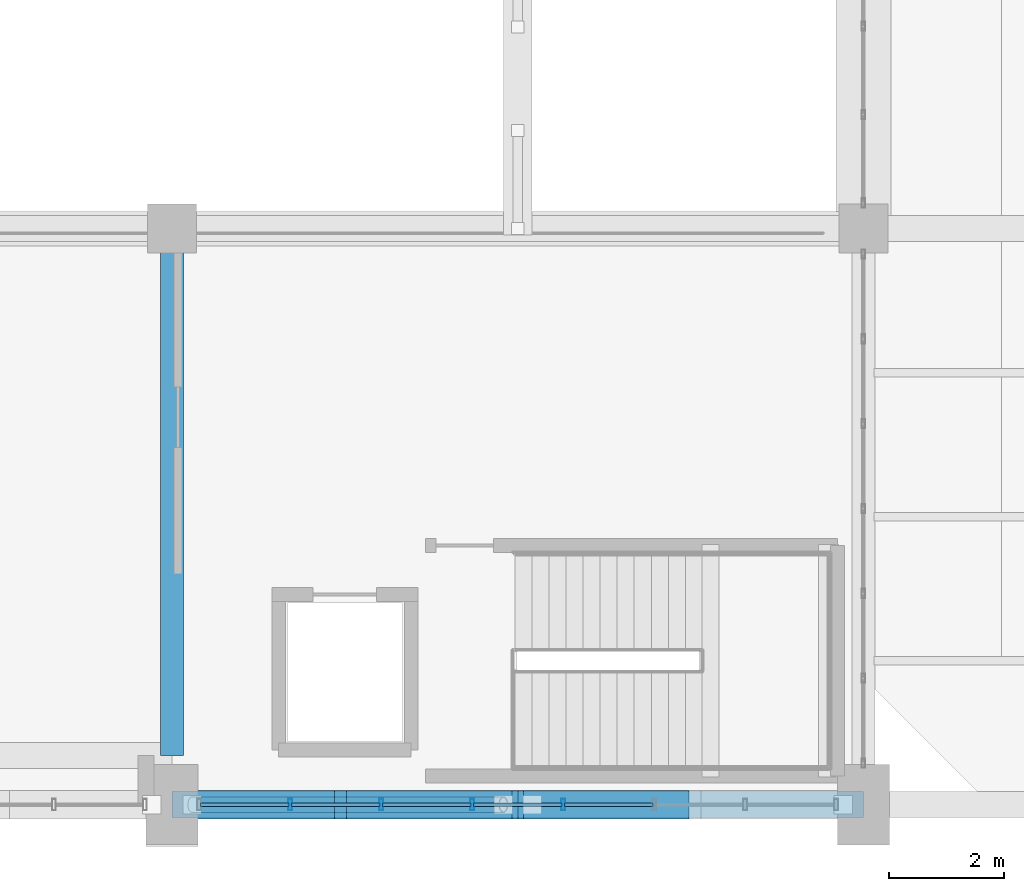
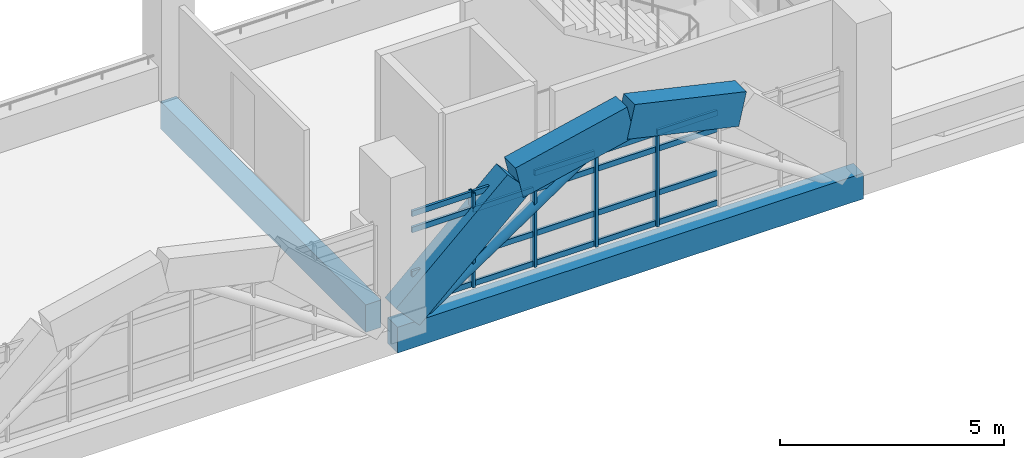
# One storey, part 37 of 161: 25 members, 5 beams, 1 element without a shape of its own.
"""IFC4 building model written with IfcOpenShell, lengths in metres."""

from ifc_helpers import new_model, si_unit, direction, frame, origin, origin_2d, place, context, subcontext, project, spatial, rectangle, hollow_rectangle, hollow_circle, extrude, material, layer, layer_set, material_profile, profile_set, type_object, element, aggregate, save


model = new_model("IFC4")

# Units and contexts
model_context = context("Model", 3, precision=1e-05, world=origin(), true_north=direction((0.0, 1.0)))
body_context = subcontext(model_context, "Body", "Model", "MODEL_VIEW")
ifc_project = project(units=[si_unit("LENGTHUNIT", "METRE"), si_unit("AREAUNIT", "SQUARE_METRE"), si_unit("VOLUMEUNIT", "CUBIC_METRE"), si_unit("PLANEANGLEUNIT", "RADIAN"), si_unit("MASSUNIT", "GRAM", prefix="KILO")], contexts=[model_context])

# Site, building, storey
site_placement = place(None, origin())
site = spatial("IfcSite", under=ifc_project, at=site_placement, CompositionType="ELEMENT")
building_placement = place(site_placement, origin())
building = spatial("IfcBuilding", under=site, at=building_placement, Name="Mersad Railyard Sports Hall", CompositionType="ELEMENT")
storey_placement = place(building_placement, frame((0.0, 0.0, 4.800048828125)))
storey = spatial("IfcBuildingStorey", under=building, at=storey_placement, Name="L01", CompositionType="ELEMENT", Elevation=4.800048828125)

# Curtain wall, members
ifc_material_1 = material(Name="Aluminium 6063-T6", Category="aluminium")
ifc_layer = layer(ifc_material_1, 0.199951171875)
ifc_layer_set = layer_set([ifc_layer], Name="Aluminium 6063-T6")
curtain_wall_type = type_object("IfcCurtainWallType", Name="ARC-CW-CW02", PredefinedType="USERDEFINED", material=ifc_layer_set)
curtain_wall_placement = place(storey_placement, origin())
curtain_wall = element("IfcCurtainWall", 1, at=curtain_wall_placement, inside=storey, type_object=curtain_wall_type, Name="Curtain wall CW02-0020", ObjectType="CURTAIN WALL", PredefinedType="USERDEFINED")
ifc_material_profile_1 = material_profile(ifc_material_1, hollow_rectangle(XDim=0.06494140625, YDim=0.199951171875, WallThickness=0.0048828125, at=origin_2d()), Name="AL MULLION 65x200x5")
ifc_profile_set_1 = profile_set([ifc_material_profile_1], Name="Aluminium 6063-T6")
member_type_1 = type_object("IfcMemberType", Name="ARC-CW-MUL02", PredefinedType="MULLION", material=ifc_profile_set_1)
member_1_placement = place(storey_placement, frame((85.7900390625, 3.5, -0.02001953125), z_axis=(0.0, 0.0, 1.0), x_axis=(1.0, 0.0, 0.0)))
member_1 = element("IfcMember", 2, at=member_1_placement, type_object=member_type_1, Name="CW02 Mullion 4", PredefinedType="MULLION", context=body_context, shape_type="SweptSolid", body=[
    extrude(hollow_rectangle(XDim=0.06494140625, YDim=0.199951171875, WallThickness=0.0048828125, at=origin_2d()), origin(), (0.0, 0.0, 1.0), 2.570068359375),
])
member_2_placement = place(storey_placement, frame((84.2099609375, 3.5, -0.02001953125), z_axis=(0.0, 0.0, 1.0), x_axis=(1.0, 0.0, 0.0)))
member_2 = element("IfcMember", 3, at=member_2_placement, type_object=member_type_1, Name="CW02 Mullion 5", PredefinedType="MULLION", context=body_context, shape_type="SweptSolid", body=[
    extrude(hollow_rectangle(XDim=0.06494140625, YDim=0.199951171875, WallThickness=0.0048828125, at=origin_2d()), origin(), (0.0, 0.0, 1.0), 2.570068359375),
])
member_3_placement = place(storey_placement, frame((82.6298828125, 3.5, -0.02001953125), z_axis=(0.0, 0.0, 1.0), x_axis=(1.0, 0.0, 0.0)))
member_3 = element("IfcMember", 4, at=member_3_placement, type_object=member_type_1, Name="CW02 Mullion 6", PredefinedType="MULLION", context=body_context, shape_type="SweptSolid", body=[
    extrude(hollow_rectangle(XDim=0.06494140625, YDim=0.199951171875, WallThickness=0.0048828125, at=origin_2d()), origin(), (0.0, 0.0, 1.0), 2.570068359375),
])
member_4_placement = place(storey_placement, frame((81.050048828125, 3.5, -0.02001953125), z_axis=(0.0, 0.0, 1.0), x_axis=(1.0, 0.0, 0.0)))
member_4 = element("IfcMember", 5, at=member_4_placement, type_object=member_type_1, Name="CW02 Mullion 7", PredefinedType="MULLION", context=body_context, shape_type="SweptSolid", body=[
    extrude(hollow_rectangle(XDim=0.06494140625, YDim=0.199951171875, WallThickness=0.0048828125, at=origin_2d()), origin(), (0.0, 0.0, 1.0), 2.570068359375),
])
ifc_material_profile_2 = material_profile(ifc_material_1, hollow_rectangle(XDim=0.06494140625, YDim=0.14990234375, WallThickness=0.00439453125, at=origin_2d()), Name="AL TRANSOM 65x150x4.5")
ifc_profile_set_2 = profile_set([ifc_material_profile_2], Name="Aluminium 6063-T6")
member_type_2 = type_object("IfcMemberType", Name="ARC-CW-TRN02", PredefinedType="USERDEFINED", material=ifc_profile_set_2)
member_5_placement = place(storey_placement, frame((87.35009765625, 3.5, 0.0400390625), z_axis=(-1.0, 0.0, 0.0), x_axis=(0.0, -1.0, 0.0)))
member_5 = element("IfcMember", 6, at=member_5_placement, type_object=member_type_2, Name="CW02 Transom 1-3", ObjectType="TRANSOM", PredefinedType="USERDEFINED", context=body_context, shape_type="SweptSolid", body=[
    extrude(hollow_rectangle(XDim=0.06494140625, YDim=0.14990234375, WallThickness=0.00439453125, at=origin_2d()), origin(), (0.0, 0.0, 1.0), 1.5400390625),
])
member_6_placement = place(storey_placement, frame((85.77001953125, 3.5, 0.0400390625), z_axis=(-1.0, 0.0, 0.0), x_axis=(0.0, -1.0, 0.0)))
member_6 = element("IfcMember", 7, at=member_6_placement, type_object=member_type_2, Name="CW02 Transom 1-4", ObjectType="TRANSOM", PredefinedType="USERDEFINED", context=body_context, shape_type="SweptSolid", body=[
    extrude(hollow_rectangle(XDim=0.06494140625, YDim=0.14990234375, WallThickness=0.00439453125, at=origin_2d()), origin(), (0.0, 0.0, 1.0), 1.5400390625),
])
member_7_placement = place(storey_placement, frame((84.18994140625, 3.5, 0.0400390625), z_axis=(-1.0, 0.0, 0.0), x_axis=(0.0, -1.0, 0.0)))
member_7 = element("IfcMember", 8, at=member_7_placement, type_object=member_type_2, Name="CW02 Transom 1-5", ObjectType="TRANSOM", PredefinedType="USERDEFINED", context=body_context, shape_type="SweptSolid", body=[
    extrude(hollow_rectangle(XDim=0.06494140625, YDim=0.14990234375, WallThickness=0.00439453125, at=origin_2d()), origin(), (0.0, 0.0, 1.0), 1.5400390625),
])
member_8_placement = place(storey_placement, frame((82.610107421875, 3.5, 0.0400390625), z_axis=(-1.0, 0.0, 0.0), x_axis=(0.0, -1.0, 0.0)))
member_8 = element("IfcMember", 9, at=member_8_placement, type_object=member_type_2, Name="CW02 Transom 1-6", ObjectType="TRANSOM", PredefinedType="USERDEFINED", context=body_context, shape_type="SweptSolid", body=[
    extrude(hollow_rectangle(XDim=0.06494140625, YDim=0.14990234375, WallThickness=0.00439453125, at=origin_2d()), origin(), (0.0, 0.0, 1.0), 1.5400390625),
])
member_9_placement = place(storey_placement, frame((81.030029296875, 3.5, 0.0400390625), z_axis=(-1.0, 0.0, 0.0), x_axis=(0.0, -1.0, 0.0)))
member_9 = element("IfcMember", 10, at=member_9_placement, type_object=member_type_2, Name="CW02 Transom 1-7", ObjectType="TRANSOM", PredefinedType="USERDEFINED", context=body_context, shape_type="SweptSolid", body=[
    extrude(hollow_rectangle(XDim=0.06494140625, YDim=0.14990234375, WallThickness=0.00439453125, at=origin_2d()), origin(), (0.0, 0.0, 1.0), 1.5400390625),
])
member_10_placement = place(storey_placement, frame((87.35009765625, 3.5, 0.849853515625), z_axis=(-1.0, 0.0, 0.0), x_axis=(0.0, -1.0, 0.0)))
member_10 = element("IfcMember", 11, at=member_10_placement, type_object=member_type_2, Name="CW02 Transom 2-3", ObjectType="TRANSOM", PredefinedType="USERDEFINED", context=body_context, shape_type="SweptSolid", body=[
    extrude(hollow_rectangle(XDim=0.06494140625, YDim=0.14990234375, WallThickness=0.00439453125, at=origin_2d()), origin(), (0.0, 0.0, 1.0), 1.5400390625),
])
member_11_placement = place(storey_placement, frame((85.77001953125, 3.5, 0.849853515625), z_axis=(-1.0, 0.0, 0.0), x_axis=(0.0, -1.0, 0.0)))
member_11 = element("IfcMember", 12, at=member_11_placement, type_object=member_type_2, Name="CW02 Transom 2-4", ObjectType="TRANSOM", PredefinedType="USERDEFINED", context=body_context, shape_type="SweptSolid", body=[
    extrude(hollow_rectangle(XDim=0.06494140625, YDim=0.14990234375, WallThickness=0.00439453125, at=origin_2d()), origin(), (0.0, 0.0, 1.0), 1.5400390625),
])
member_12_placement = place(storey_placement, frame((84.18994140625, 3.5, 0.849853515625), z_axis=(-1.0, 0.0, 0.0), x_axis=(0.0, -1.0, 0.0)))
member_12 = element("IfcMember", 13, at=member_12_placement, type_object=member_type_2, Name="CW02 Transom 2-5", ObjectType="TRANSOM", PredefinedType="USERDEFINED", context=body_context, shape_type="SweptSolid", body=[
    extrude(hollow_rectangle(XDim=0.06494140625, YDim=0.14990234375, WallThickness=0.00439453125, at=origin_2d()), origin(), (0.0, 0.0, 1.0), 1.5400390625),
])
member_13_placement = place(storey_placement, frame((82.610107421875, 3.5, 0.849853515625), z_axis=(-1.0, 0.0, 0.0), x_axis=(0.0, -1.0, 0.0)))
member_13 = element("IfcMember", 14, at=member_13_placement, type_object=member_type_2, Name="CW02 Transom 2-6", ObjectType="TRANSOM", PredefinedType="USERDEFINED", context=body_context, shape_type="SweptSolid", body=[
    extrude(hollow_rectangle(XDim=0.06494140625, YDim=0.14990234375, WallThickness=0.00439453125, at=origin_2d()), origin(), (0.0, 0.0, 1.0), 1.5400390625),
])
member_14_placement = place(storey_placement, frame((81.030029296875, 3.5, 0.849853515625), z_axis=(-1.0, 0.0, 0.0), x_axis=(0.0, -1.0, 0.0)))
member_14 = element("IfcMember", 15, at=member_14_placement, type_object=member_type_2, Name="CW02 Transom 2-7", ObjectType="TRANSOM", PredefinedType="USERDEFINED", context=body_context, shape_type="SweptSolid", body=[
    extrude(hollow_rectangle(XDim=0.06494140625, YDim=0.14990234375, WallThickness=0.00439453125, at=origin_2d()), origin(), (0.0, 0.0, 1.0), 1.5400390625),
])
member_15_placement = place(storey_placement, frame((87.35009765625, 3.5, 2.050048828125), z_axis=(-1.0, 0.0, 0.0), x_axis=(0.0, -1.0, 0.0)))
member_15 = element("IfcMember", 16, at=member_15_placement, type_object=member_type_2, Name="CW02 Transom 3-3", ObjectType="TRANSOM", PredefinedType="USERDEFINED", context=body_context, shape_type="SweptSolid", body=[
    extrude(hollow_rectangle(XDim=0.06494140625, YDim=0.14990234375, WallThickness=0.00439453125, at=origin_2d()), origin(), (0.0, 0.0, 1.0), 1.5400390625),
])
member_16_placement = place(storey_placement, frame((85.77001953125, 3.5, 2.050048828125), z_axis=(-1.0, 0.0, 0.0), x_axis=(0.0, -1.0, 0.0)))
member_16 = element("IfcMember", 17, at=member_16_placement, type_object=member_type_2, Name="CW02 Transom 3-4", ObjectType="TRANSOM", PredefinedType="USERDEFINED", context=body_context, shape_type="SweptSolid", body=[
    extrude(hollow_rectangle(XDim=0.06494140625, YDim=0.14990234375, WallThickness=0.00439453125, at=origin_2d()), origin(), (0.0, 0.0, 1.0), 1.5400390625),
])
member_17_placement = place(storey_placement, frame((84.18994140625, 3.5, 2.050048828125), z_axis=(-1.0, 0.0, 0.0), x_axis=(0.0, -1.0, 0.0)))
member_17 = element("IfcMember", 18, at=member_17_placement, type_object=member_type_2, Name="CW02 Transom 3-5", ObjectType="TRANSOM", PredefinedType="USERDEFINED", context=body_context, shape_type="SweptSolid", body=[
    extrude(hollow_rectangle(XDim=0.06494140625, YDim=0.14990234375, WallThickness=0.00439453125, at=origin_2d()), origin(), (0.0, 0.0, 1.0), 1.5400390625),
])
member_18_placement = place(storey_placement, frame((82.610107421875, 3.5, 2.050048828125), z_axis=(-1.0, 0.0, 0.0), x_axis=(0.0, -1.0, 0.0)))
member_18 = element("IfcMember", 19, at=member_18_placement, type_object=member_type_2, Name="CW02 Transom 3-6", ObjectType="TRANSOM", PredefinedType="USERDEFINED", context=body_context, shape_type="SweptSolid", body=[
    extrude(hollow_rectangle(XDim=0.06494140625, YDim=0.14990234375, WallThickness=0.00439453125, at=origin_2d()), origin(), (0.0, 0.0, 1.0), 1.5400390625),
])
member_19_placement = place(storey_placement, frame((81.030029296875, 3.5, 2.050048828125), z_axis=(-1.0, 0.0, 0.0), x_axis=(0.0, -1.0, 0.0)))
member_19 = element("IfcMember", 20, at=member_19_placement, type_object=member_type_2, Name="CW02 Transom 3-7", ObjectType="TRANSOM", PredefinedType="USERDEFINED", context=body_context, shape_type="SweptSolid", body=[
    extrude(hollow_rectangle(XDim=0.06494140625, YDim=0.14990234375, WallThickness=0.00439453125, at=origin_2d()), origin(), (0.0, 0.0, 1.0), 1.5400390625),
])
member_20_placement = place(storey_placement, frame((87.35009765625, 3.5, 2.489990234375), z_axis=(-1.0, 0.0, 0.0), x_axis=(0.0, -1.0, 0.0)))
member_20 = element("IfcMember", 21, at=member_20_placement, type_object=member_type_2, Name="CW02 Transom 4-3", ObjectType="TRANSOM", PredefinedType="USERDEFINED", context=body_context, shape_type="SweptSolid", body=[
    extrude(hollow_rectangle(XDim=0.06494140625, YDim=0.14990234375, WallThickness=0.00439453125, at=origin_2d()), origin(), (0.0, 0.0, 1.0), 1.5400390625),
])
member_21_placement = place(storey_placement, frame((85.77001953125, 3.5, 2.489990234375), z_axis=(-1.0, 0.0, 0.0), x_axis=(0.0, -1.0, 0.0)))
member_21 = element("IfcMember", 22, at=member_21_placement, type_object=member_type_2, Name="CW02 Transom 4-4", ObjectType="TRANSOM", PredefinedType="USERDEFINED", context=body_context, shape_type="SweptSolid", body=[
    extrude(hollow_rectangle(XDim=0.06494140625, YDim=0.14990234375, WallThickness=0.00439453125, at=origin_2d()), origin(), (0.0, 0.0, 1.0), 1.5400390625),
])
member_22_placement = place(storey_placement, frame((84.18994140625, 3.5, 2.489990234375), z_axis=(-1.0, 0.0, 0.0), x_axis=(0.0, -1.0, 0.0)))
member_22 = element("IfcMember", 23, at=member_22_placement, type_object=member_type_2, Name="CW02 Transom 4-5", ObjectType="TRANSOM", PredefinedType="USERDEFINED", context=body_context, shape_type="SweptSolid", body=[
    extrude(hollow_rectangle(XDim=0.06494140625, YDim=0.14990234375, WallThickness=0.00439453125, at=origin_2d()), origin(), (0.0, 0.0, 1.0), 1.5400390625),
])
member_23_placement = place(storey_placement, frame((82.610107421875, 3.5, 2.489990234375), z_axis=(-1.0, 0.0, 0.0), x_axis=(0.0, -1.0, 0.0)))
member_23 = element("IfcMember", 24, at=member_23_placement, type_object=member_type_2, Name="CW02 Transom 4-6", ObjectType="TRANSOM", PredefinedType="USERDEFINED", context=body_context, shape_type="SweptSolid", body=[
    extrude(hollow_rectangle(XDim=0.06494140625, YDim=0.14990234375, WallThickness=0.00439453125, at=origin_2d()), origin(), (0.0, 0.0, 1.0), 1.5400390625),
])
member_24_placement = place(storey_placement, frame((81.030029296875, 3.5, 2.489990234375), z_axis=(-1.0, 0.0, 0.0), x_axis=(0.0, -1.0, 0.0)))
member_24 = element("IfcMember", 25, at=member_24_placement, type_object=member_type_2, Name="CW02 Transom 4-7", ObjectType="TRANSOM", PredefinedType="USERDEFINED", context=body_context, shape_type="SweptSolid", body=[
    extrude(hollow_rectangle(XDim=0.06494140625, YDim=0.14990234375, WallThickness=0.00439453125, at=origin_2d()), origin(), (0.0, 0.0, 1.0), 1.5400390625),
])
aggregate(curtain_wall, [member_1, member_2, member_3, member_4, member_5, member_6, member_7, member_8, member_9, member_10, member_11, member_12, member_13, member_14, member_15, member_16, member_17, member_18, member_19, member_20, member_21, member_22, member_23, member_24])

# Beams
ifc_material_2 = material(Name="Concrete C40/50", Category="concrete")
ifc_material_profile_3 = material_profile(ifc_material_2, rectangle(XDim=0.39990234375, YDim=0.75, at=origin_2d()), Name="RC 400x750")
ifc_profile_set_3 = profile_set([ifc_material_profile_3], Name="Concrete C40/50")
beam_type_1 = type_object("IfcBeamType", Name="STR-BM-B01", PredefinedType="BEAM", material=ifc_profile_set_3)
beam_1_placement = place(storey_placement, frame((79.0, 4.35009765625, -0.655029296875), z_axis=(0.0, 1.0, 0.0), x_axis=(-1.0, 0.0, 0.0)))
element("IfcBeam", 26, at=beam_1_placement, inside=storey, type_object=beam_type_1, Name="Beam B01-0299", PredefinedType="BEAM", context=body_context, shape_type="SweptSolid", body=[
    extrude(rectangle(XDim=0.39990234375, YDim=0.75, at=origin_2d()), origin(), (0.0, 0.0, 1.0), 9.14990234375),
])
ifc_material_3 = material(Name="Architectural concrete C40/50", Category="concrete")
ifc_material_profile_4 = material_profile(ifc_material_3, rectangle(XDim=0.449951171875, YDim=0.699951171875, at=origin_2d()), Name="RC 450x700")
ifc_profile_set_4 = profile_set([ifc_material_profile_4], Name="Architectural concrete C40/50")
beam_type_2 = type_object("IfcBeamType", Name="STR-BM-SP01", PredefinedType="SPANDREL", material=ifc_profile_set_4)
beam_2_placement = place(storey_placement, frame((79.0, 3.5, -0.66015625), z_axis=(1.0, 0.0, 0.0), x_axis=(0.0, 1.0, 0.0)))
element("IfcBeam", 27, at=beam_2_placement, inside=storey, type_object=beam_type_2, Name="Beam SP01-0384", PredefinedType="SPANDREL", context=body_context, shape_type="SweptSolid", body=[
    extrude(rectangle(XDim=0.449951171875, YDim=0.699951171875, at=origin_2d()), origin(), (0.0, 0.0, 1.0), 12.0),
])
ifc_material_4 = material(Name="Architectural concrete C50/60", Category="concrete")
ifc_material_profile_5 = material_profile(ifc_material_4, rectangle(XDim=0.5, YDim=0.89990234375, at=origin_2d()), Name="VR 500x900")
ifc_profile_set_5 = profile_set([ifc_material_profile_5], Name="Architectural concrete C50/60")
beam_type_3 = type_object("IfcBeamType", Name="STR-BM-VR02", PredefinedType="BEAM", material=ifc_profile_set_5)
beam_3_placement = place(storey_placement, frame((79.25, 3.5, -0.10009765625), z_axis=(0.735617187873, 0.0, 0.677397485164), x_axis=(0.0, 1.0, 0.0)))
element("IfcBeam", 28, at=beam_3_placement, inside=storey, type_object=beam_type_3, Name="Beam VR02-0386", PredefinedType="BEAM", context=body_context, shape_type="SweptSolid", body=[
    extrude(rectangle(XDim=0.5, YDim=0.89990234375, at=origin_2d()), origin(), (0.0, 0.0, 1.0), 3.908203125),
])
for number, where, z_axis, x_axis, name in (
    (29, (82.125, 3.5, 2.54736328125), (0.97519301708, 0.0, 0.221356227467), (0.0, 1.0, 0.0), "Beam VR02-0388"),
    (30, (85.0, 3.5, 3.199951171875), (0.97519301708, 0.0, -0.221356227467), (0.0, 1.0, 0.0), "Beam VR02-0390"),
):
    element("IfcBeam", number, at=place(storey_placement, frame(where, z_axis=z_axis, x_axis=x_axis)), inside=storey, type_object=beam_type_3, Name=name, PredefinedType="BEAM", context=body_context, shape_type="SweptSolid", body=[
        extrude(rectangle(XDim=0.5, YDim=0.89990234375, at=origin_2d()), origin(), (0.0, 0.0, 1.0), 2.9482421875),
    ])

# Member
ifc_material_5 = material(Name="Steel S355", Category="steel")
ifc_material_profile_6 = material_profile(ifc_material_5, hollow_circle(Radius=0.136474609375, WallThickness=0.012451171875, at=origin_2d()), Name="CHS 273x12.5")
ifc_profile_set_6 = profile_set([ifc_material_profile_6], Name="Steel S355")
member_type_3 = type_object("IfcMemberType", Name="STR-MEM-BR02", PredefinedType="BRACE", material=ifc_profile_set_6)
member_25_placement = place(storey_placement, frame((79.35009765625, 3.5, -0.6201171875), z_axis=(0.829190125257, 0.0, 0.558966668215), x_axis=(0.0, 1.0, 0.0)))
element("IfcMember", 31, at=member_25_placement, inside=storey, type_object=member_type_3, Name="Structural member BR02-0025", PredefinedType="BRACE", context=body_context, shape_type="SweptSolid", body=[
    extrude(hollow_circle(Radius=0.136474609375, WallThickness=0.012451171875, at=origin_2d()), origin(), (0.0, 0.0, 1.0), 6.51220703125),
])

save(model, "model.ifc")
